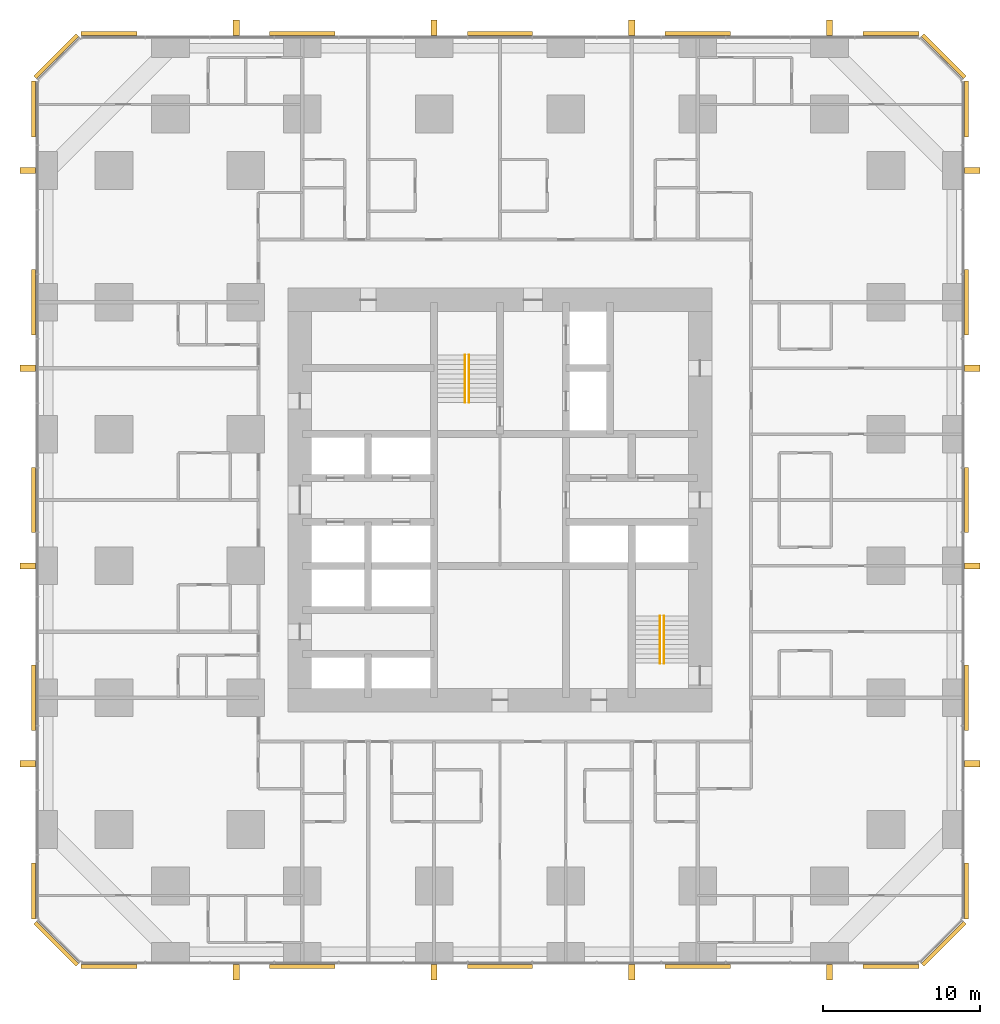
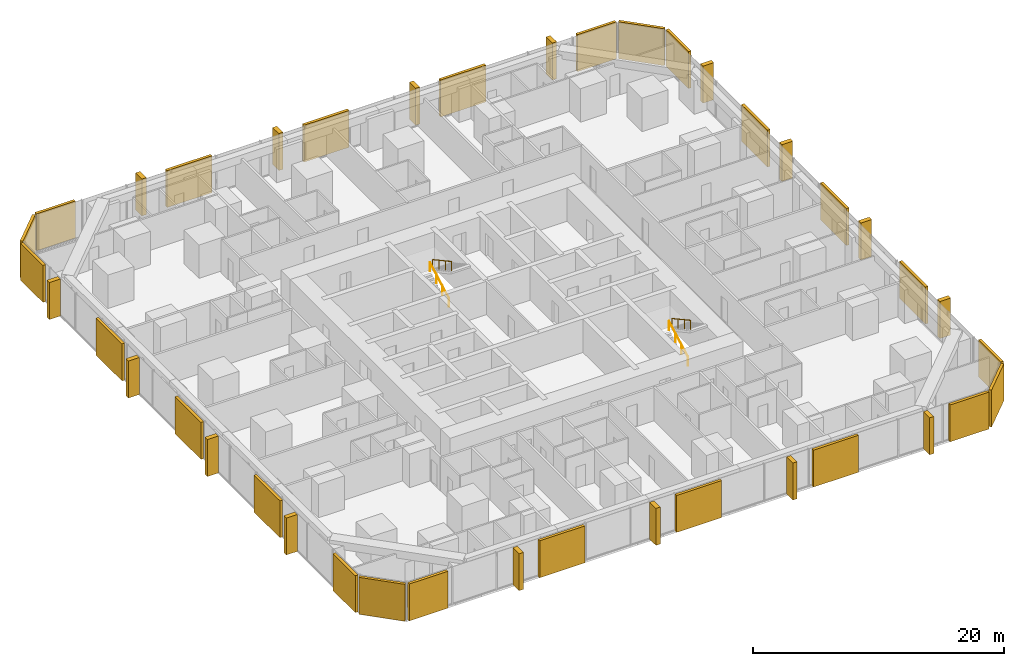
# One storey, part 17 of 17: 24 coverings, 16 shading devices, 4 railings.
"""IFC4 building model written with IfcOpenShell, lengths in metres."""

from ifc_helpers import new_model, si_unit, direction, frame, origin, origin_2d, place, context, subcontext, project, spatial, rectangle, circle, extrude, material, layer, layer_set, type_object, element, save


model = new_model("IFC4")

# Units and contexts
model_context = context("Model", 3, precision=1e-05, world=origin(), true_north=direction((0.0, 1.0)))
body_context = subcontext(model_context, "Body", "Model", "MODEL_VIEW")
ifc_project = project(units=[si_unit("LENGTHUNIT", "METRE"), si_unit("AREAUNIT", "SQUARE_METRE"), si_unit("VOLUMEUNIT", "CUBIC_METRE"), si_unit("PLANEANGLEUNIT", "RADIAN"), si_unit("MASSUNIT", "GRAM", prefix="KILO")], contexts=[model_context])

# Site, building, storey
site_placement = place(None, origin())
site = spatial("IfcSite", under=ifc_project, at=site_placement, CompositionType="ELEMENT")
building_placement = place(site_placement, origin())
building = spatial("IfcBuilding", under=site, at=building_placement, Name="Dunama Terrace Hotel", CompositionType="ELEMENT")
storey_placement = place(building_placement, frame((0.0, 0.0, 81.0)))
storey = spatial("IfcBuildingStorey", under=building, at=storey_placement, Name="L20", CompositionType="ELEMENT", Elevation=81.0)

# Railings
ifc_material_1 = material(Name="Stainless steel handrail", Category="steel")
railing_type = type_object("IfcRailingType", Name="Stair handrail 900", PredefinedType="HANDRAIL", material=ifc_material_1)
railing_1_placement = place(storey_placement, frame((27.175048828125, 35.625, 0.16357421875)))
element("IfcRailing", 1, at=railing_1_placement, inside=storey, type_object=railing_type, Name="Handrail ST1 L20", PredefinedType="HANDRAIL", context=body_context, shape_type="SweptSolid", body=[
    extrude(circle(Radius=0.02392578125, at=origin_2d()), frame((0.0, 0.0, 0.8759765625), z_axis=(0.0, 0.877881921179, 0.478877158013), x_axis=(-1.0, 0.0, 0.0)), (0.0, 0.0, 1.0), 3.417236328125),
    extrude(circle(Radius=0.02099609375, at=origin_2d()), origin(), (0.0, 0.0, 1.0), 0.851806640625),
    extrude(circle(Radius=0.02099609375, at=origin_2d()), frame((0.0, 1.0, 0.54541015625)), (0.0, 0.0, 1.0), 0.851806640625),
    extrude(circle(Radius=0.02099609375, at=origin_2d()), frame((0.0, 2.0, 1.091064453125)), (0.0, 0.0, 1.0), 0.851806640625),
    extrude(circle(Radius=0.02099609375, at=origin_2d()), frame((0.0, 3.0, 1.636474609375)), (0.0, 0.0, 1.0), 0.851806640625),
])
railing_2_placement = place(storey_placement, frame((27.425048828125, 38.625, 1.963623046875)))
element("IfcRailing", 2, at=railing_2_placement, inside=storey, type_object=railing_type, Name="Handrail ST1 L20", PredefinedType="HANDRAIL", context=body_context, shape_type="SweptSolid", body=[
    extrude(circle(Radius=0.02392578125, at=origin_2d()), frame((0.0, 0.0, 0.8759765625), z_axis=(0.0, -0.877881921179, 0.478877158013), x_axis=(1.0, 0.0, 0.0)), (0.0, 0.0, 1.0), 3.417236328125),
    extrude(circle(Radius=0.02099609375, at=origin_2d()), origin(), (0.0, 0.0, 1.0), 0.851806640625),
    extrude(circle(Radius=0.02099609375, at=origin_2d()), frame((0.0, -1.0, 0.54541015625)), (0.0, 0.0, 1.0), 0.851806640625),
    extrude(circle(Radius=0.02099609375, at=origin_2d()), frame((0.0, -2.0, 1.091064453125)), (0.0, 0.0, 1.0), 0.851806640625),
    extrude(circle(Radius=0.02099609375, at=origin_2d()), frame((0.0, -3.0, 1.636474609375)), (0.0, 0.0, 1.0), 0.851806640625),
])
railing_3_placement = place(storey_placement, frame((39.60009765625, 19.0, 0.16357421875)))
element("IfcRailing", 3, at=railing_3_placement, inside=storey, type_object=railing_type, Name="Handrail ST2 L20", PredefinedType="HANDRAIL", context=body_context, shape_type="SweptSolid", body=[
    extrude(circle(Radius=0.02392578125, at=origin_2d()), frame((0.0, 0.0, 0.8759765625), z_axis=(0.0, 0.877881921179, 0.478877158013), x_axis=(-1.0, 0.0, 0.0)), (0.0, 0.0, 1.0), 3.417236328125),
    extrude(circle(Radius=0.02099609375, at=origin_2d()), origin(), (0.0, 0.0, 1.0), 0.851806640625),
    extrude(circle(Radius=0.02099609375, at=origin_2d()), frame((0.0, 1.0, 0.54541015625)), (0.0, 0.0, 1.0), 0.851806640625),
    extrude(circle(Radius=0.02099609375, at=origin_2d()), frame((0.0, 2.0, 1.091064453125)), (0.0, 0.0, 1.0), 0.851806640625),
    extrude(circle(Radius=0.02099609375, at=origin_2d()), frame((0.0, 3.0, 1.636474609375)), (0.0, 0.0, 1.0), 0.851806640625),
])
railing_4_placement = place(storey_placement, frame((39.85009765625, 22.0, 1.963623046875)))
element("IfcRailing", 4, at=railing_4_placement, inside=storey, type_object=railing_type, Name="Handrail ST2 L20", PredefinedType="HANDRAIL", context=body_context, shape_type="SweptSolid", body=[
    extrude(circle(Radius=0.02392578125, at=origin_2d()), frame((0.0, 0.0, 0.8759765625), z_axis=(0.0, -0.877881921179, 0.478877158013), x_axis=(1.0, 0.0, 0.0)), (0.0, 0.0, 1.0), 3.417236328125),
    extrude(circle(Radius=0.02099609375, at=origin_2d()), origin(), (0.0, 0.0, 1.0), 0.851806640625),
    extrude(circle(Radius=0.02099609375, at=origin_2d()), frame((0.0, -1.0, 0.54541015625)), (0.0, 0.0, 1.0), 0.851806640625),
    extrude(circle(Radius=0.02099609375, at=origin_2d()), frame((0.0, -2.0, 1.091064453125)), (0.0, 0.0, 1.0), 0.851806640625),
    extrude(circle(Radius=0.02099609375, at=origin_2d()), frame((0.0, -3.0, 1.636474609375)), (0.0, 0.0, 1.0), 0.851806640625),
])

# Coverings
ifc_material_2 = material(Name="Warm reconstituted stone panel", Category="masonry")
ifc_layer_1 = layer(ifc_material_2, 0.25)
ifc_layer_set_1 = layer_set([ifc_layer_1], Name="Stone diagonal panel")
covering_type = type_object("IfcCoveringType", Name="Stone diagonal panel", PredefinedType="CLADDING", material=ifc_layer_set_1)
covering_1_placement = place(storey_placement, frame((4.489990234375, -0.322998046875, 0.001953125), z_axis=(0.0, 0.0, 1.0), x_axis=(1.0, 0.0, 0.0)))
element("IfcCovering", 5, at=covering_1_placement, inside=storey, type_object=covering_type, Name="Stone diagonal panel L20", PredefinedType="CLADDING", context=body_context, shape_type="SweptSolid", body=[
    extrude(rectangle(XDim=3.570068359375, YDim=0.25, at=origin_2d()), origin(), (0.0, 0.0, 1.0), 3.595947265625),
])
for number, where, z_axis, x_axis, name in (
    (6, (16.800048828125, -0.322998046875, 0.001953125), (0.0, 0.0, 1.0), (1.0, 0.0, 0.0), "Stone diagonal panel L20"),
    (7, (29.39990234375, -0.322998046875, 0.001953125), (0.0, 0.0, 1.0), (1.0, 0.0, 0.0), "Stone diagonal panel L20"),
    (8, (42.0, -0.322998046875, 0.001953125), (0.0, 0.0, 1.0), (1.0, 0.0, 0.0), "Stone diagonal panel L20"),
):
    element("IfcCovering", number, at=place(storey_placement, frame(where, z_axis=z_axis, x_axis=x_axis)), inside=storey, type_object=covering_type, Name=name, PredefinedType="CLADDING", context=body_context, shape_type="SweptSolid", body=[
        extrude(rectangle(XDim=4.14990234375, YDim=0.25, at=origin_2d()), origin(), (0.0, 0.0, 1.0), 3.595947265625),
    ])
covering_2_placement = place(storey_placement, frame((54.31005859375, -0.322998046875, 0.001953125), z_axis=(0.0, 0.0, 1.0), x_axis=(1.0, 0.0, 0.0)))
element("IfcCovering", 9, at=covering_2_placement, inside=storey, type_object=covering_type, Name="Stone diagonal panel L20", PredefinedType="CLADDING", context=body_context, shape_type="SweptSolid", body=[
    extrude(rectangle(XDim=3.570068359375, YDim=0.25, at=origin_2d()), origin(), (0.0, 0.0, 1.0), 3.595947265625),
])
covering_3_placement = place(storey_placement, frame((57.678955078125, 1.12109375, 0.001953125), z_axis=(0.0, 0.0, 1.0), x_axis=(0.707106781187, 0.707106781187, 0.0)))
element("IfcCovering", 10, at=covering_3_placement, inside=storey, type_object=covering_type, Name="Stone diagonal panel L20", PredefinedType="CLADDING", context=body_context, shape_type="SweptSolid", body=[
    extrude(rectangle(XDim=3.808349609375, YDim=0.25, at=origin_2d()), origin(), (0.0, 0.0, 1.0), 3.595947265625),
])
covering_4_placement = place(storey_placement, frame((59.123046875, 4.489990234375, 0.001953125), z_axis=(0.0, 0.0, 1.0), x_axis=(0.0, 1.0, 0.0)))
element("IfcCovering", 11, at=covering_4_placement, inside=storey, type_object=covering_type, Name="Stone diagonal panel L20", PredefinedType="CLADDING", context=body_context, shape_type="SweptSolid", body=[
    extrude(rectangle(XDim=3.570068359375, YDim=0.25, at=origin_2d()), origin(), (0.0, 0.0, 1.0), 3.595947265625),
])
for number, where, z_axis, x_axis, name in (
    (12, (59.123046875, 16.800048828125, 0.001953125), (0.0, 0.0, 1.0), (0.0, 1.0, 0.0), "Stone diagonal panel L20"),
    (13, (59.123046875, 29.39990234375, 0.001953125), (0.0, 0.0, 1.0), (0.0, 1.0, 0.0), "Stone diagonal panel L20"),
    (14, (59.123046875, 42.0, 0.001953125), (0.0, 0.0, 1.0), (0.0, 1.0, 0.0), "Stone diagonal panel L20"),
):
    element("IfcCovering", number, at=place(storey_placement, frame(where, z_axis=z_axis, x_axis=x_axis)), inside=storey, type_object=covering_type, Name=name, PredefinedType="CLADDING", context=body_context, shape_type="SweptSolid", body=[
        extrude(rectangle(XDim=4.14990234375, YDim=0.25, at=origin_2d()), origin(), (0.0, 0.0, 1.0), 3.595947265625),
    ])
covering_5_placement = place(storey_placement, frame((59.123046875, 54.31005859375, 0.001953125), z_axis=(0.0, 0.0, 1.0), x_axis=(0.0, 1.0, 0.0)))
element("IfcCovering", 15, at=covering_5_placement, inside=storey, type_object=covering_type, Name="Stone diagonal panel L20", PredefinedType="CLADDING", context=body_context, shape_type="SweptSolid", body=[
    extrude(rectangle(XDim=3.570068359375, YDim=0.25, at=origin_2d()), origin(), (0.0, 0.0, 1.0), 3.595947265625),
])
covering_6_placement = place(storey_placement, frame((57.678955078125, 57.678955078125, 0.001953125), z_axis=(0.0, 0.0, 1.0), x_axis=(-0.707106781187, 0.707106781187, 0.0)))
element("IfcCovering", 16, at=covering_6_placement, inside=storey, type_object=covering_type, Name="Stone diagonal panel L20", PredefinedType="CLADDING", context=body_context, shape_type="SweptSolid", body=[
    extrude(rectangle(XDim=3.808349609375, YDim=0.25, at=origin_2d()), origin(), (0.0, 0.0, 1.0), 3.595947265625),
])
covering_7_placement = place(storey_placement, frame((54.31005859375, 59.123046875, 0.001953125), z_axis=(0.0, 0.0, 1.0), x_axis=(-1.0, 0.0, 0.0)))
element("IfcCovering", 17, at=covering_7_placement, inside=storey, type_object=covering_type, Name="Stone diagonal panel L20", PredefinedType="CLADDING", context=body_context, shape_type="SweptSolid", body=[
    extrude(rectangle(XDim=3.570068359375, YDim=0.25, at=origin_2d()), origin(), (0.0, 0.0, 1.0), 3.595947265625),
])
for number, where, z_axis, x_axis, name in (
    (18, (42.0, 59.123046875, 0.001953125), (0.0, 0.0, 1.0), (-1.0, 0.0, 0.0), "Stone diagonal panel L20"),
    (19, (29.39990234375, 59.123046875, 0.001953125), (0.0, 0.0, 1.0), (-1.0, 0.0, 0.0), "Stone diagonal panel L20"),
    (20, (16.800048828125, 59.123046875, 0.001953125), (0.0, 0.0, 1.0), (-1.0, 0.0, 0.0), "Stone diagonal panel L20"),
):
    element("IfcCovering", number, at=place(storey_placement, frame(where, z_axis=z_axis, x_axis=x_axis)), inside=storey, type_object=covering_type, Name=name, PredefinedType="CLADDING", context=body_context, shape_type="SweptSolid", body=[
        extrude(rectangle(XDim=4.14990234375, YDim=0.25, at=origin_2d()), origin(), (0.0, 0.0, 1.0), 3.595947265625),
    ])
covering_8_placement = place(storey_placement, frame((4.489990234375, 59.123046875, 0.001953125), z_axis=(0.0, 0.0, 1.0), x_axis=(-1.0, 0.0, 0.0)))
element("IfcCovering", 21, at=covering_8_placement, inside=storey, type_object=covering_type, Name="Stone diagonal panel L20", PredefinedType="CLADDING", context=body_context, shape_type="SweptSolid", body=[
    extrude(rectangle(XDim=3.570068359375, YDim=0.25, at=origin_2d()), origin(), (0.0, 0.0, 1.0), 3.595947265625),
])
covering_9_placement = place(storey_placement, frame((1.12109375, 57.678955078125, 0.001953125), z_axis=(0.0, 0.0, 1.0), x_axis=(-0.707106781187, -0.707106781187, 0.0)))
element("IfcCovering", 22, at=covering_9_placement, inside=storey, type_object=covering_type, Name="Stone diagonal panel L20", PredefinedType="CLADDING", context=body_context, shape_type="SweptSolid", body=[
    extrude(rectangle(XDim=3.808349609375, YDim=0.25, at=origin_2d()), origin(), (0.0, 0.0, 1.0), 3.595947265625),
])
covering_10_placement = place(storey_placement, frame((-0.322998046875, 54.31005859375, 0.001953125), z_axis=(0.0, 0.0, 1.0), x_axis=(0.0, -1.0, 0.0)))
element("IfcCovering", 23, at=covering_10_placement, inside=storey, type_object=covering_type, Name="Stone diagonal panel L20", PredefinedType="CLADDING", context=body_context, shape_type="SweptSolid", body=[
    extrude(rectangle(XDim=3.570068359375, YDim=0.25, at=origin_2d()), origin(), (0.0, 0.0, 1.0), 3.595947265625),
])
for number, where, z_axis, x_axis, name in (
    (24, (-0.322998046875, 42.0, 0.001953125), (0.0, 0.0, 1.0), (0.0, -1.0, 0.0), "Stone diagonal panel L20"),
    (25, (-0.322998046875, 29.39990234375, 0.001953125), (0.0, 0.0, 1.0), (0.0, -1.0, 0.0), "Stone diagonal panel L20"),
    (26, (-0.322998046875, 16.800048828125, 0.001953125), (0.0, 0.0, 1.0), (0.0, -1.0, 0.0), "Stone diagonal panel L20"),
):
    element("IfcCovering", number, at=place(storey_placement, frame(where, z_axis=z_axis, x_axis=x_axis)), inside=storey, type_object=covering_type, Name=name, PredefinedType="CLADDING", context=body_context, shape_type="SweptSolid", body=[
        extrude(rectangle(XDim=4.14990234375, YDim=0.25, at=origin_2d()), origin(), (0.0, 0.0, 1.0), 3.595947265625),
    ])
covering_11_placement = place(storey_placement, frame((-0.322998046875, 4.489990234375, 0.001953125), z_axis=(0.0, 0.0, 1.0), x_axis=(0.0, -1.0, 0.0)))
element("IfcCovering", 27, at=covering_11_placement, inside=storey, type_object=covering_type, Name="Stone diagonal panel L20", PredefinedType="CLADDING", context=body_context, shape_type="SweptSolid", body=[
    extrude(rectangle(XDim=3.570068359375, YDim=0.25, at=origin_2d()), origin(), (0.0, 0.0, 1.0), 3.595947265625),
])
covering_12_placement = place(storey_placement, frame((1.12109375, 1.12109375, 0.001953125), z_axis=(0.0, 0.0, 1.0), x_axis=(0.707106781187, -0.707106781187, 0.0)))
element("IfcCovering", 28, at=covering_12_placement, inside=storey, type_object=covering_type, Name="Stone diagonal panel L20", PredefinedType="CLADDING", context=body_context, shape_type="SweptSolid", body=[
    extrude(rectangle(XDim=3.808349609375, YDim=0.25, at=origin_2d()), origin(), (0.0, 0.0, 1.0), 3.595947265625),
])

# Shading devices
ifc_material_3 = material(Name="Warm reconstituted stone fin", Category="masonry")
ifc_layer_2 = layer(ifc_material_3, 0.39990234375)
ifc_layer_set_2 = layer_set([ifc_layer_2], Name="Warm stone fin 400x1000")
shading_device_type = type_object("IfcShadingDeviceType", Name="Warm stone fin 400x1000", PredefinedType="USERDEFINED", material=ifc_layer_set_2)
for number, where, z_axis, x_axis, name in (
    (29, (12.60009765625, -0.68798828125, 0.0), (0.0, 0.0, 1.0), (1.0, 0.0, 0.0), "Stone fin"),
    (30, (25.199951171875, -0.68798828125, 0.0), (0.0, 0.0, 1.0), (1.0, 0.0, 0.0), "Stone fin"),
    (31, (37.800048828125, -0.68798828125, 0.0), (0.0, 0.0, 1.0), (1.0, 0.0, 0.0), "Stone fin"),
    (32, (50.39990234375, -0.68798828125, 0.0), (0.0, 0.0, 1.0), (1.0, 0.0, 0.0), "Stone fin"),
    (33, (59.488037109375, 12.60009765625, 0.0), (0.0, 0.0, 1.0), (0.0, 1.0, 0.0), "Stone fin"),
    (34, (59.488037109375, 25.199951171875, 0.0), (0.0, 0.0, 1.0), (0.0, 1.0, 0.0), "Stone fin"),
    (35, (59.488037109375, 37.800048828125, 0.0), (0.0, 0.0, 1.0), (0.0, 1.0, 0.0), "Stone fin"),
    (36, (59.488037109375, 50.39990234375, 0.0), (0.0, 0.0, 1.0), (0.0, 1.0, 0.0), "Stone fin"),
    (37, (50.39990234375, 59.488037109375, 0.0), (0.0, 0.0, 1.0), (-1.0, 0.0, 0.0), "Stone fin"),
    (38, (37.800048828125, 59.488037109375, 0.0), (0.0, 0.0, 1.0), (-1.0, 0.0, 0.0), "Stone fin"),
    (39, (25.199951171875, 59.488037109375, 0.0), (0.0, 0.0, 1.0), (-1.0, 0.0, 0.0), "Stone fin"),
    (40, (12.60009765625, 59.488037109375, 0.0), (0.0, 0.0, 1.0), (-1.0, 0.0, 0.0), "Stone fin"),
    (41, (-0.68798828125, 50.39990234375, 0.0), (0.0, 0.0, 1.0), (0.0, -1.0, 0.0), "Stone fin"),
    (42, (-0.68798828125, 37.800048828125, 0.0), (0.0, 0.0, 1.0), (0.0, -1.0, 0.0), "Stone fin"),
    (43, (-0.68798828125, 25.199951171875, 0.0), (0.0, 0.0, 1.0), (0.0, -1.0, 0.0), "Stone fin"),
    (44, (-0.68798828125, 12.60009765625, 0.0), (0.0, 0.0, 1.0), (0.0, -1.0, 0.0), "Stone fin"),
):
    element("IfcShadingDevice", number, at=place(storey_placement, frame(where, z_axis=z_axis, x_axis=x_axis)), inside=storey, type_object=shading_device_type, Name=name, ObjectType="FIN", PredefinedType="USERDEFINED", context=body_context, shape_type="SweptSolid", body=[
        extrude(rectangle(XDim=0.39990234375, YDim=1.0, at=origin_2d()), origin(), (0.0, 0.0, 1.0), 3.60009765625),
    ])

save(model, "model.ifc")
